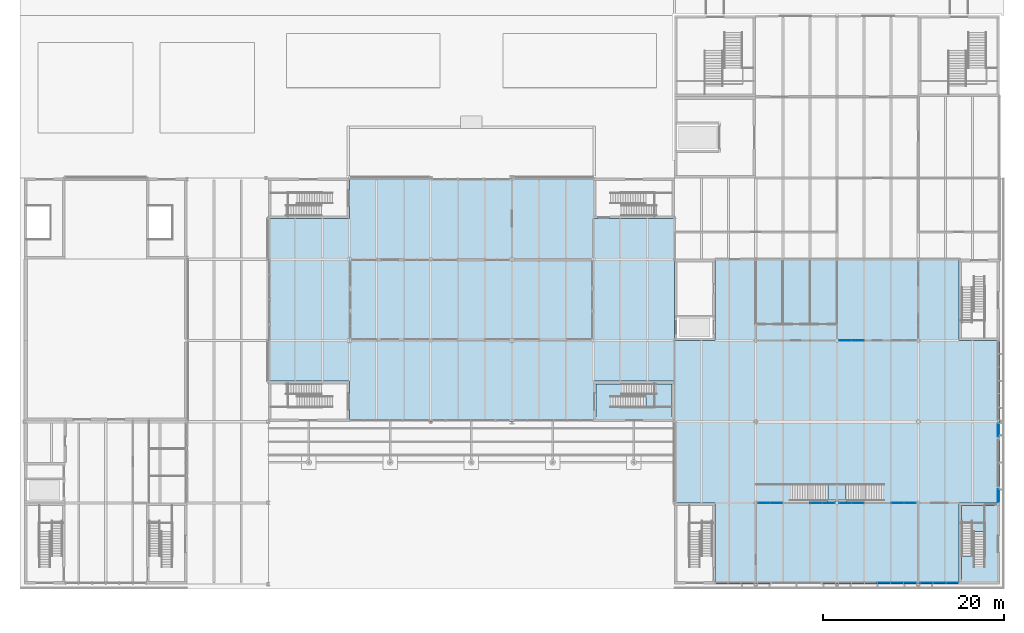
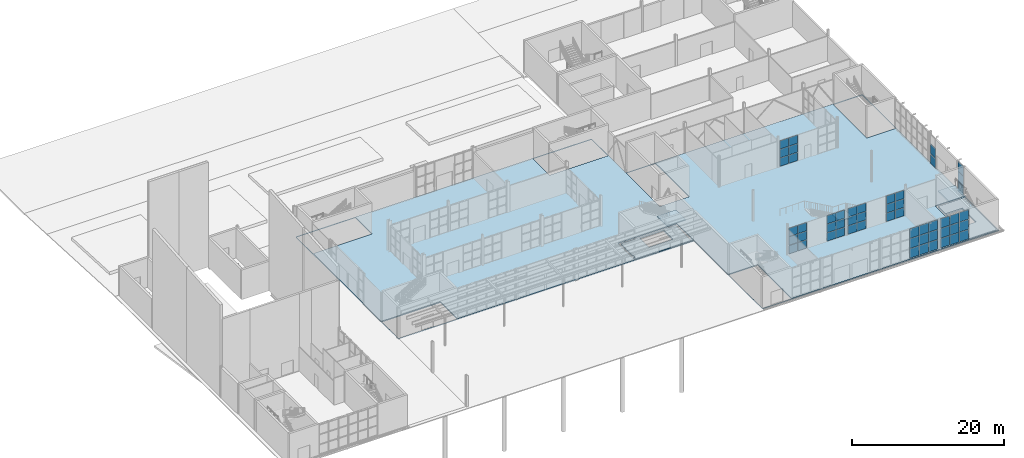
# One storey, part 33 of 63: 53 plates, 6 slabs, 12 elements without a shape of their own.
"""IFC4 building model written with IfcOpenShell, lengths in metres."""

from ifc_helpers import new_model, si_unit, direction, frame, origin, origin_2d, place, context, subcontext, project, spatial, polyline, rectangle, outline, extrude, material, layer, layer_set, type_object, element, aggregate, save


model = new_model("IFC4")

# Units and contexts
model_context = context("Model", 3, precision=1e-05, world=origin(), true_north=direction((0.0, 1.0)))
body_context = subcontext(model_context, "Body", "Model", "MODEL_VIEW")
ifc_project = project(units=[si_unit("LENGTHUNIT", "METRE"), si_unit("AREAUNIT", "SQUARE_METRE"), si_unit("VOLUMEUNIT", "CUBIC_METRE"), si_unit("PLANEANGLEUNIT", "RADIAN"), si_unit("MASSUNIT", "GRAM", prefix="KILO")], contexts=[model_context])

# Site, building, storey
site_placement = place(None, origin())
site = spatial("IfcSite", under=ifc_project, at=site_placement, CompositionType="ELEMENT")
building_placement = place(site_placement, origin())
building = spatial("IfcBuilding", under=site, at=building_placement, Name="Halyard Row Museum", CompositionType="ELEMENT")
storey_placement = place(building_placement, origin())
storey = spatial("IfcBuildingStorey", under=building, at=storey_placement, Name="L00", CompositionType="ELEMENT", Elevation=0.0)

# Slabs
ifc_material_1 = material(Name="Concrete 40 MPa", Category="concrete")
ifc_layer_1 = layer(ifc_material_1, 0.1650390625)
ifc_layer_set_1 = layer_set([ifc_layer_1], Name="Concrete 40 MPa")
slab_type_1 = type_object("IfcSlabType", Name="Composite floor slab", PredefinedType="FLOOR", material=ifc_layer_set_1)
slab_1_placement = place(storey_placement, frame((0.0, 0.0, -0.1650390625)))
element("IfcSlab", 1, at=slab_1_placement, inside=storey, type_object=slab_type_1, Name="Floor slab L00-03", PredefinedType="FLOOR", context=body_context, shape_type="SweptSolid", body=[
    extrude(outline(polyline([(72.0, 45.0), (27.0, 45.0), (27.0, 18.0), (72.0, 18.0), (72.0, 0.0), (108.0, 0.0), (108.0, 36.0), (72.0, 36.0), (72.0, 45.0)]), holes=[polyline([(27.0048828125, 18.0048828125), (27.0048828125, 22.4951171875), (35.9951171875, 22.4951171875), (35.9951171875, 18.0048828125), (27.0048828125, 18.0048828125)]), polyline([(27.0048828125, 40.5048828125), (27.0048828125, 44.9951171875), (35.9951171875, 44.9951171875), (35.9951171875, 40.5048828125), (27.0048828125, 40.5048828125)]), polyline([(63.0048828125, 40.5048828125), (63.0048828125, 44.9951171875), (71.9951171875, 44.9951171875), (71.9951171875, 40.5048828125), (63.0048828125, 40.5048828125)]), polyline([(72.0048828125, 0.0048828125), (72.0048828125, 8.9951171875), (76.4951171875, 8.9951171875), (76.4951171875, 0.0048828125), (72.0048828125, 0.0048828125)]), polyline([(103.5048828125, 0.0048828125), (103.5048828125, 8.9951171875), (107.9951171875, 8.9951171875), (107.9951171875, 0.0048828125), (103.5048828125, 0.0048828125)]), polyline([(63.0048828125, 18.0048828125), (63.0048828125, 22.4951171875), (71.9951171875, 22.4951171875), (71.9951171875, 18.0048828125), (63.0048828125, 18.0048828125)]), polyline([(72.0048828125, 27.0048828125), (72.0048828125, 35.9951171875), (76.4951171875, 35.9951171875), (76.4951171875, 27.0048828125), (72.0048828125, 27.0048828125)]), polyline([(103.5048828125, 27.0048828125), (103.5048828125, 35.9951171875), (107.9951171875, 35.9951171875), (107.9951171875, 27.0048828125), (103.5048828125, 27.0048828125)])]), origin(), (0.0, 0.0, 1.0), 0.1650390625),
])
ifc_material_2 = material(Name="Concrete 40 MPa", Category="concrete")
ifc_layer_2 = layer(ifc_material_2, 0.25)
ifc_layer_set_2 = layer_set([ifc_layer_2], Name="Concrete 40 MPa")
slab_type_2 = type_object("IfcSlabType", Name="Core floor slab 250", PredefinedType="FLOOR", material=ifc_layer_set_2)
slab_2_placement = place(storey_placement, frame((0.0, 0.0, -0.25)))
element("IfcSlab", 2, at=slab_2_placement, inside=storey, type_object=slab_type_2, Name="Core floor K1C L00", PredefinedType="FLOOR", context=body_context, shape_type="SweptSolid", body=[
    extrude(outline(polyline([(63.0048828125, 18.199951171875), (71.9951171875, 18.199951171875), (71.9951171875, 18.550048828125), (71.699951171875, 18.550048828125), (71.699951171875, 22.199951171875), (63.300048828125, 22.199951171875), (63.300048828125, 18.550048828125), (63.0048828125, 18.550048828125), (63.0048828125, 18.199951171875)]), holes=[polyline([(66.10302734375, 22.197021484375), (69.737060546875, 22.197021484375), (69.737060546875, 19.653076171875), (66.10302734375, 19.653076171875), (66.10302734375, 22.197021484375)])]), origin(), (0.0, 0.0, 1.0), 0.25),
])
slab_3_placement = place(storey_placement, frame((0.0, 0.0, -0.25)))
element("IfcSlab", 3, at=slab_3_placement, inside=storey, type_object=slab_type_2, Name="Core floor K2B L00", PredefinedType="FLOOR", context=body_context, shape_type="SweptSolid", body=[
    extrude(outline(polyline([(107.449951171875, 8.9951171875), (107.449951171875, 8.699951171875), (103.800048828125, 8.699951171875), (103.800048828125, 0.550048828125), (103.5048828125, 0.550048828125), (103.5048828125, 0.199951171875), (107.800048828125, 0.199951171875), (107.800048828125, 8.9951171875), (107.449951171875, 8.9951171875)]), holes=[polyline([(103.802978515625, 3.10302734375), (103.802978515625, 6.737060546875), (106.346923828125, 6.737060546875), (106.346923828125, 3.10302734375), (103.802978515625, 3.10302734375)])]), origin(), (0.0, 0.0, 1.0), 0.25),
])

# Curtain wall, plates
ifc_material_3 = material(Name="Double glazed unit, low-emissivity", Category="glass")
ifc_layer_3 = layer(ifc_material_3, 0.179931640625)
ifc_layer_set_3 = layer_set([ifc_layer_3], Name="Double glazed unit, low-emissivity")
curtain_wall_type_1 = type_object("IfcCurtainWallType", Name="Curtain wall stick 180 deep", PredefinedType="NOTDEFINED", material=ifc_layer_set_3)
curtain_wall_1_placement = place(storey_placement, origin())
curtain_wall_1 = element("IfcCurtainWall", 4, at=curtain_wall_1_placement, inside=storey, type_object=curtain_wall_type_1, Name="Curtain wall CW134", PredefinedType="NOTDEFINED")
ifc_material_4 = material(Name="Double glazed unit, low-emissivity", Category="glass")
ifc_layer_4 = layer(ifc_material_4, 0.028076171875)
ifc_layer_set_4 = layer_set([ifc_layer_4], Name="Double glazed unit, low-emissivity")
plate_type_1 = type_object("IfcPlateType", Name="Curtain wall glazed panel CP2 28", PredefinedType="CURTAIN_PANEL", material=ifc_layer_set_4)
plate_1_placement = place(storey_placement, frame((81.91748046875, 9.0, 0.06005859375), z_axis=(0.0, 0.0, 1.0), x_axis=(1.0, 0.0, 0.0)))
plate_1 = element("IfcPlate", 5, at=plate_1_placement, type_object=plate_type_1, Name="CW134 panel 1.1", PredefinedType="CURTAIN_PANEL", context=body_context, shape_type="SweptSolid", body=[
    extrude(rectangle(XDim=1.308349609375, YDim=0.028076171875, at=origin_2d()), origin(), (0.0, 0.0, 1.0), 1.3193359375),
])
plate_2_placement = place(storey_placement, frame((81.91748046875, 9.0, 1.439453125), z_axis=(0.0, 0.0, 1.0), x_axis=(1.0, 0.0, 0.0)))
plate_2 = element("IfcPlate", 6, at=plate_2_placement, type_object=plate_type_1, Name="CW134 panel 1.2", PredefinedType="CURTAIN_PANEL", context=body_context, shape_type="SweptSolid", body=[
    extrude(rectangle(XDim=1.308349609375, YDim=0.028076171875, at=origin_2d()), origin(), (0.0, 0.0, 1.0), 1.349365234375),
])
plate_3_placement = place(storey_placement, frame((81.91748046875, 9.0, 2.8486328125), z_axis=(0.0, 0.0, 1.0), x_axis=(1.0, 0.0, 0.0)))
plate_3 = element("IfcPlate", 7, at=plate_3_placement, type_object=plate_type_1, Name="CW134 panel 1.3", PredefinedType="CURTAIN_PANEL", context=body_context, shape_type="SweptSolid", body=[
    extrude(rectangle(XDim=1.308349609375, YDim=0.028076171875, at=origin_2d()), origin(), (0.0, 0.0, 1.0), 1.3193359375),
])
plate_4_placement = place(storey_placement, frame((83.285888671875, 9.0, 0.06005859375), z_axis=(0.0, 0.0, 1.0), x_axis=(1.0, 0.0, 0.0)))
plate_4 = element("IfcPlate", 8, at=plate_4_placement, type_object=plate_type_1, Name="CW134 panel 2.1", PredefinedType="CURTAIN_PANEL", context=body_context, shape_type="SweptSolid", body=[
    extrude(rectangle(XDim=1.308349609375, YDim=0.028076171875, at=origin_2d()), origin(), (0.0, 0.0, 1.0), 1.3193359375),
])
plate_5_placement = place(storey_placement, frame((83.285888671875, 9.0, 1.439453125), z_axis=(0.0, 0.0, 1.0), x_axis=(1.0, 0.0, 0.0)))
plate_5 = element("IfcPlate", 9, at=plate_5_placement, type_object=plate_type_1, Name="CW134 panel 2.2", PredefinedType="CURTAIN_PANEL", context=body_context, shape_type="SweptSolid", body=[
    extrude(rectangle(XDim=1.308349609375, YDim=0.028076171875, at=origin_2d()), origin(), (0.0, 0.0, 1.0), 1.349365234375),
])
plate_6_placement = place(storey_placement, frame((83.285888671875, 9.0, 2.8486328125), z_axis=(0.0, 0.0, 1.0), x_axis=(1.0, 0.0, 0.0)))
plate_6 = element("IfcPlate", 10, at=plate_6_placement, type_object=plate_type_1, Name="CW134 panel 2.3", PredefinedType="CURTAIN_PANEL", context=body_context, shape_type="SweptSolid", body=[
    extrude(rectangle(XDim=1.308349609375, YDim=0.028076171875, at=origin_2d()), origin(), (0.0, 0.0, 1.0), 1.3193359375),
])
aggregate(curtain_wall_1, [plate_1, plate_2, plate_3, plate_4, plate_5, plate_6])

curtain_wall_2_placement = place(storey_placement, origin())
curtain_wall_2 = element("IfcCurtainWall", 11, at=curtain_wall_2_placement, inside=storey, type_object=curtain_wall_type_1, Name="Curtain wall CW135", PredefinedType="NOTDEFINED")
plate_7_placement = place(storey_placement, frame((87.714111328125, 9.0, 0.06005859375), z_axis=(0.0, 0.0, 1.0), x_axis=(1.0, 0.0, 0.0)))
plate_7 = element("IfcPlate", 12, at=plate_7_placement, type_object=plate_type_1, Name="CW135 panel 1.1", PredefinedType="CURTAIN_PANEL", context=body_context, shape_type="SweptSolid", body=[
    extrude(rectangle(XDim=1.308349609375, YDim=0.028076171875, at=origin_2d()), origin(), (0.0, 0.0, 1.0), 1.3193359375),
])
plate_8_placement = place(storey_placement, frame((87.714111328125, 9.0, 1.439453125), z_axis=(0.0, 0.0, 1.0), x_axis=(1.0, 0.0, 0.0)))
plate_8 = element("IfcPlate", 13, at=plate_8_placement, type_object=plate_type_1, Name="CW135 panel 1.2", PredefinedType="CURTAIN_PANEL", context=body_context, shape_type="SweptSolid", body=[
    extrude(rectangle(XDim=1.308349609375, YDim=0.028076171875, at=origin_2d()), origin(), (0.0, 0.0, 1.0), 1.349365234375),
])
plate_9_placement = place(storey_placement, frame((87.714111328125, 9.0, 2.8486328125), z_axis=(0.0, 0.0, 1.0), x_axis=(1.0, 0.0, 0.0)))
plate_9 = element("IfcPlate", 14, at=plate_9_placement, type_object=plate_type_1, Name="CW135 panel 1.3", PredefinedType="CURTAIN_PANEL", context=body_context, shape_type="SweptSolid", body=[
    extrude(rectangle(XDim=1.308349609375, YDim=0.028076171875, at=origin_2d()), origin(), (0.0, 0.0, 1.0), 1.3193359375),
])
plate_10_placement = place(storey_placement, frame((89.08251953125, 9.0, 0.06005859375), z_axis=(0.0, 0.0, 1.0), x_axis=(1.0, 0.0, 0.0)))
plate_10 = element("IfcPlate", 15, at=plate_10_placement, type_object=plate_type_1, Name="CW135 panel 2.1", PredefinedType="CURTAIN_PANEL", context=body_context, shape_type="SweptSolid", body=[
    extrude(rectangle(XDim=1.308349609375, YDim=0.028076171875, at=origin_2d()), origin(), (0.0, 0.0, 1.0), 1.3193359375),
])
plate_11_placement = place(storey_placement, frame((89.08251953125, 9.0, 1.439453125), z_axis=(0.0, 0.0, 1.0), x_axis=(1.0, 0.0, 0.0)))
plate_11 = element("IfcPlate", 16, at=plate_11_placement, type_object=plate_type_1, Name="CW135 panel 2.2", PredefinedType="CURTAIN_PANEL", context=body_context, shape_type="SweptSolid", body=[
    extrude(rectangle(XDim=1.308349609375, YDim=0.028076171875, at=origin_2d()), origin(), (0.0, 0.0, 1.0), 1.349365234375),
])
plate_12_placement = place(storey_placement, frame((89.08251953125, 9.0, 2.8486328125), z_axis=(0.0, 0.0, 1.0), x_axis=(1.0, 0.0, 0.0)))
plate_12 = element("IfcPlate", 17, at=plate_12_placement, type_object=plate_type_1, Name="CW135 panel 2.3", PredefinedType="CURTAIN_PANEL", context=body_context, shape_type="SweptSolid", body=[
    extrude(rectangle(XDim=1.308349609375, YDim=0.028076171875, at=origin_2d()), origin(), (0.0, 0.0, 1.0), 1.3193359375),
])
aggregate(curtain_wall_2, [plate_7, plate_8, plate_9, plate_10, plate_11, plate_12])

curtain_wall_3_placement = place(storey_placement, origin())
curtain_wall_3 = element("IfcCurtainWall", 18, at=curtain_wall_3_placement, inside=storey, type_object=curtain_wall_type_1, Name="Curtain wall CW136", PredefinedType="NOTDEFINED")
plate_13_placement = place(storey_placement, frame((90.91748046875, 9.0, 0.06005859375), z_axis=(0.0, 0.0, 1.0), x_axis=(1.0, 0.0, 0.0)))
plate_13 = element("IfcPlate", 19, at=plate_13_placement, type_object=plate_type_1, Name="CW136 panel 1.1", PredefinedType="CURTAIN_PANEL", context=body_context, shape_type="SweptSolid", body=[
    extrude(rectangle(XDim=1.308349609375, YDim=0.028076171875, at=origin_2d()), origin(), (0.0, 0.0, 1.0), 1.3193359375),
])
plate_14_placement = place(storey_placement, frame((90.91748046875, 9.0, 1.439453125), z_axis=(0.0, 0.0, 1.0), x_axis=(1.0, 0.0, 0.0)))
plate_14 = element("IfcPlate", 20, at=plate_14_placement, type_object=plate_type_1, Name="CW136 panel 1.2", PredefinedType="CURTAIN_PANEL", context=body_context, shape_type="SweptSolid", body=[
    extrude(rectangle(XDim=1.308349609375, YDim=0.028076171875, at=origin_2d()), origin(), (0.0, 0.0, 1.0), 1.349365234375),
])
plate_15_placement = place(storey_placement, frame((90.91748046875, 9.0, 2.8486328125), z_axis=(0.0, 0.0, 1.0), x_axis=(1.0, 0.0, 0.0)))
plate_15 = element("IfcPlate", 21, at=plate_15_placement, type_object=plate_type_1, Name="CW136 panel 1.3", PredefinedType="CURTAIN_PANEL", context=body_context, shape_type="SweptSolid", body=[
    extrude(rectangle(XDim=1.308349609375, YDim=0.028076171875, at=origin_2d()), origin(), (0.0, 0.0, 1.0), 1.3193359375),
])
plate_16_placement = place(storey_placement, frame((92.285888671875, 9.0, 0.06005859375), z_axis=(0.0, 0.0, 1.0), x_axis=(1.0, 0.0, 0.0)))
plate_16 = element("IfcPlate", 22, at=plate_16_placement, type_object=plate_type_1, Name="CW136 panel 2.1", PredefinedType="CURTAIN_PANEL", context=body_context, shape_type="SweptSolid", body=[
    extrude(rectangle(XDim=1.308349609375, YDim=0.028076171875, at=origin_2d()), origin(), (0.0, 0.0, 1.0), 1.3193359375),
])
plate_17_placement = place(storey_placement, frame((92.285888671875, 9.0, 1.439453125), z_axis=(0.0, 0.0, 1.0), x_axis=(1.0, 0.0, 0.0)))
plate_17 = element("IfcPlate", 23, at=plate_17_placement, type_object=plate_type_1, Name="CW136 panel 2.2", PredefinedType="CURTAIN_PANEL", context=body_context, shape_type="SweptSolid", body=[
    extrude(rectangle(XDim=1.308349609375, YDim=0.028076171875, at=origin_2d()), origin(), (0.0, 0.0, 1.0), 1.349365234375),
])
plate_18_placement = place(storey_placement, frame((92.285888671875, 9.0, 2.8486328125), z_axis=(0.0, 0.0, 1.0), x_axis=(1.0, 0.0, 0.0)))
plate_18 = element("IfcPlate", 24, at=plate_18_placement, type_object=plate_type_1, Name="CW136 panel 2.3", PredefinedType="CURTAIN_PANEL", context=body_context, shape_type="SweptSolid", body=[
    extrude(rectangle(XDim=1.308349609375, YDim=0.028076171875, at=origin_2d()), origin(), (0.0, 0.0, 1.0), 1.3193359375),
])
aggregate(curtain_wall_3, [plate_13, plate_14, plate_15, plate_16, plate_17, plate_18])

curtain_wall_4_placement = place(storey_placement, origin())
curtain_wall_4 = element("IfcCurtainWall", 25, at=curtain_wall_4_placement, inside=storey, type_object=curtain_wall_type_1, Name="Curtain wall CW137", PredefinedType="NOTDEFINED")
plate_19_placement = place(storey_placement, frame((96.714111328125, 9.0, 0.06005859375), z_axis=(0.0, 0.0, 1.0), x_axis=(1.0, 0.0, 0.0)))
plate_19 = element("IfcPlate", 26, at=plate_19_placement, type_object=plate_type_1, Name="CW137 panel 1.1", PredefinedType="CURTAIN_PANEL", context=body_context, shape_type="SweptSolid", body=[
    extrude(rectangle(XDim=1.308349609375, YDim=0.028076171875, at=origin_2d()), origin(), (0.0, 0.0, 1.0), 1.3193359375),
])
plate_20_placement = place(storey_placement, frame((96.714111328125, 9.0, 1.439453125), z_axis=(0.0, 0.0, 1.0), x_axis=(1.0, 0.0, 0.0)))
plate_20 = element("IfcPlate", 27, at=plate_20_placement, type_object=plate_type_1, Name="CW137 panel 1.2", PredefinedType="CURTAIN_PANEL", context=body_context, shape_type="SweptSolid", body=[
    extrude(rectangle(XDim=1.308349609375, YDim=0.028076171875, at=origin_2d()), origin(), (0.0, 0.0, 1.0), 1.349365234375),
])
plate_21_placement = place(storey_placement, frame((96.714111328125, 9.0, 2.8486328125), z_axis=(0.0, 0.0, 1.0), x_axis=(1.0, 0.0, 0.0)))
plate_21 = element("IfcPlate", 28, at=plate_21_placement, type_object=plate_type_1, Name="CW137 panel 1.3", PredefinedType="CURTAIN_PANEL", context=body_context, shape_type="SweptSolid", body=[
    extrude(rectangle(XDim=1.308349609375, YDim=0.028076171875, at=origin_2d()), origin(), (0.0, 0.0, 1.0), 1.3193359375),
])
plate_22_placement = place(storey_placement, frame((98.08251953125, 9.0, 0.06005859375), z_axis=(0.0, 0.0, 1.0), x_axis=(1.0, 0.0, 0.0)))
plate_22 = element("IfcPlate", 29, at=plate_22_placement, type_object=plate_type_1, Name="CW137 panel 2.1", PredefinedType="CURTAIN_PANEL", context=body_context, shape_type="SweptSolid", body=[
    extrude(rectangle(XDim=1.308349609375, YDim=0.028076171875, at=origin_2d()), origin(), (0.0, 0.0, 1.0), 1.3193359375),
])
plate_23_placement = place(storey_placement, frame((98.08251953125, 9.0, 1.439453125), z_axis=(0.0, 0.0, 1.0), x_axis=(1.0, 0.0, 0.0)))
plate_23 = element("IfcPlate", 30, at=plate_23_placement, type_object=plate_type_1, Name="CW137 panel 2.2", PredefinedType="CURTAIN_PANEL", context=body_context, shape_type="SweptSolid", body=[
    extrude(rectangle(XDim=1.308349609375, YDim=0.028076171875, at=origin_2d()), origin(), (0.0, 0.0, 1.0), 1.349365234375),
])
plate_24_placement = place(storey_placement, frame((98.08251953125, 9.0, 2.8486328125), z_axis=(0.0, 0.0, 1.0), x_axis=(1.0, 0.0, 0.0)))
plate_24 = element("IfcPlate", 31, at=plate_24_placement, type_object=plate_type_1, Name="CW137 panel 2.3", PredefinedType="CURTAIN_PANEL", context=body_context, shape_type="SweptSolid", body=[
    extrude(rectangle(XDim=1.308349609375, YDim=0.028076171875, at=origin_2d()), origin(), (0.0, 0.0, 1.0), 1.3193359375),
])
aggregate(curtain_wall_4, [plate_19, plate_20, plate_21, plate_22, plate_23, plate_24])

curtain_wall_5_placement = place(storey_placement, origin())
curtain_wall_5 = element("IfcCurtainWall", 32, at=curtain_wall_5_placement, inside=storey, type_object=curtain_wall_type_1, Name="Curtain wall CW138", PredefinedType="NOTDEFINED")
plate_25_placement = place(storey_placement, frame((90.91748046875, 27.0, 0.06005859375), z_axis=(0.0, 0.0, 1.0), x_axis=(1.0, 0.0, 0.0)))
plate_25 = element("IfcPlate", 33, at=plate_25_placement, type_object=plate_type_1, Name="CW138 panel 1.1", PredefinedType="CURTAIN_PANEL", context=body_context, shape_type="SweptSolid", body=[
    extrude(rectangle(XDim=1.308349609375, YDim=0.028076171875, at=origin_2d()), origin(), (0.0, 0.0, 1.0), 1.3193359375),
])
plate_26_placement = place(storey_placement, frame((90.91748046875, 27.0, 1.439453125), z_axis=(0.0, 0.0, 1.0), x_axis=(1.0, 0.0, 0.0)))
plate_26 = element("IfcPlate", 34, at=plate_26_placement, type_object=plate_type_1, Name="CW138 panel 1.2", PredefinedType="CURTAIN_PANEL", context=body_context, shape_type="SweptSolid", body=[
    extrude(rectangle(XDim=1.308349609375, YDim=0.028076171875, at=origin_2d()), origin(), (0.0, 0.0, 1.0), 1.349365234375),
])
plate_27_placement = place(storey_placement, frame((90.91748046875, 27.0, 2.8486328125), z_axis=(0.0, 0.0, 1.0), x_axis=(1.0, 0.0, 0.0)))
plate_27 = element("IfcPlate", 35, at=plate_27_placement, type_object=plate_type_1, Name="CW138 panel 1.3", PredefinedType="CURTAIN_PANEL", context=body_context, shape_type="SweptSolid", body=[
    extrude(rectangle(XDim=1.308349609375, YDim=0.028076171875, at=origin_2d()), origin(), (0.0, 0.0, 1.0), 1.3193359375),
])
plate_28_placement = place(storey_placement, frame((92.285888671875, 27.0, 0.06005859375), z_axis=(0.0, 0.0, 1.0), x_axis=(1.0, 0.0, 0.0)))
plate_28 = element("IfcPlate", 36, at=plate_28_placement, type_object=plate_type_1, Name="CW138 panel 2.1", PredefinedType="CURTAIN_PANEL", context=body_context, shape_type="SweptSolid", body=[
    extrude(rectangle(XDim=1.308349609375, YDim=0.028076171875, at=origin_2d()), origin(), (0.0, 0.0, 1.0), 1.3193359375),
])
plate_29_placement = place(storey_placement, frame((92.285888671875, 27.0, 1.439453125), z_axis=(0.0, 0.0, 1.0), x_axis=(1.0, 0.0, 0.0)))
plate_29 = element("IfcPlate", 37, at=plate_29_placement, type_object=plate_type_1, Name="CW138 panel 2.2", PredefinedType="CURTAIN_PANEL", context=body_context, shape_type="SweptSolid", body=[
    extrude(rectangle(XDim=1.308349609375, YDim=0.028076171875, at=origin_2d()), origin(), (0.0, 0.0, 1.0), 1.349365234375),
])
plate_30_placement = place(storey_placement, frame((92.285888671875, 27.0, 2.8486328125), z_axis=(0.0, 0.0, 1.0), x_axis=(1.0, 0.0, 0.0)))
plate_30 = element("IfcPlate", 38, at=plate_30_placement, type_object=plate_type_1, Name="CW138 panel 2.3", PredefinedType="CURTAIN_PANEL", context=body_context, shape_type="SweptSolid", body=[
    extrude(rectangle(XDim=1.308349609375, YDim=0.028076171875, at=origin_2d()), origin(), (0.0, 0.0, 1.0), 1.3193359375),
])
aggregate(curtain_wall_5, [plate_25, plate_26, plate_27, plate_28, plate_29, plate_30])

ifc_material_5 = material(Name="Double glazed unit, low-emissivity", Category="glass")
ifc_layer_5 = layer(ifc_material_5, 0.219970703125)
ifc_layer_set_5 = layer_set([ifc_layer_5], Name="Double glazed unit, low-emissivity")
curtain_wall_type_2 = type_object("IfcCurtainWallType", Name="Curtain wall unitised 220 deep", PredefinedType="NOTDEFINED", material=ifc_layer_set_5)
curtain_wall_6_placement = place(storey_placement, origin())
curtain_wall_6 = element("IfcCurtainWall", 39, at=curtain_wall_6_placement, inside=storey, type_object=curtain_wall_type_2, Name="Curtain wall CW004", PredefinedType="NOTDEFINED")
ifc_material_6 = material(Name="Double glazed unit, low-emissivity", Category="glass")
ifc_layer_6 = layer(ifc_material_6, 0.035888671875)
ifc_layer_set_6 = layer_set([ifc_layer_6], Name="Double glazed unit, low-emissivity")
plate_type_2 = type_object("IfcPlateType", Name="Curtain wall glazed panel CP3 36", PredefinedType="CURTAIN_PANEL", material=ifc_layer_set_6)
plate_31_placement = place(storey_placement, frame((95.21044921875, 0.159912109375, 0.06005859375), z_axis=(0.0, 0.0, 1.0), x_axis=(1.0, 0.0, 0.0)))
plate_31 = element("IfcPlate", 40, at=plate_31_placement, type_object=plate_type_2, Name="CW004 panel 4.1", PredefinedType="CURTAIN_PANEL", context=body_context, shape_type="SweptSolid", body=[
    extrude(rectangle(XDim=1.3857421875, YDim=0.035888671875, at=origin_2d()), origin(), (0.0, 0.0, 1.0), 1.521728515625),
])
plate_32_placement = place(storey_placement, frame((95.21044921875, 0.159912109375, 1.6416015625), z_axis=(0.0, 0.0, 1.0), x_axis=(1.0, 0.0, 0.0)))
plate_32 = element("IfcPlate", 41, at=plate_32_placement, type_object=plate_type_2, Name="CW004 panel 4.2", PredefinedType="CURTAIN_PANEL", context=body_context, shape_type="SweptSolid", body=[
    extrude(rectangle(XDim=1.3857421875, YDim=0.035888671875, at=origin_2d()), origin(), (0.0, 0.0, 1.0), 1.5517578125),
])
plate_33_placement = place(storey_placement, frame((95.21044921875, 0.159912109375, 3.25341796875), z_axis=(0.0, 0.0, 1.0), x_axis=(1.0, 0.0, 0.0)))
plate_33 = element("IfcPlate", 42, at=plate_33_placement, type_object=plate_type_2, Name="CW004 panel 4.3", PredefinedType="CURTAIN_PANEL", context=body_context, shape_type="SweptSolid", body=[
    extrude(rectangle(XDim=1.3857421875, YDim=0.035888671875, at=origin_2d()), origin(), (0.0, 0.0, 1.0), 1.521728515625),
])
plate_34_placement = place(storey_placement, frame((96.65625, 0.159912109375, 0.06005859375), z_axis=(0.0, 0.0, 1.0), x_axis=(1.0, 0.0, 0.0)))
plate_34 = element("IfcPlate", 43, at=plate_34_placement, type_object=plate_type_2, Name="CW004 panel 5.1", PredefinedType="CURTAIN_PANEL", context=body_context, shape_type="SweptSolid", body=[
    extrude(rectangle(XDim=1.3857421875, YDim=0.035888671875, at=origin_2d()), origin(), (0.0, 0.0, 1.0), 1.521728515625),
])
plate_35_placement = place(storey_placement, frame((96.65625, 0.159912109375, 1.6416015625), z_axis=(0.0, 0.0, 1.0), x_axis=(1.0, 0.0, 0.0)))
plate_35 = element("IfcPlate", 44, at=plate_35_placement, type_object=plate_type_2, Name="CW004 panel 5.2", PredefinedType="CURTAIN_PANEL", context=body_context, shape_type="SweptSolid", body=[
    extrude(rectangle(XDim=1.3857421875, YDim=0.035888671875, at=origin_2d()), origin(), (0.0, 0.0, 1.0), 1.5517578125),
])
plate_36_placement = place(storey_placement, frame((96.65625, 0.159912109375, 3.25341796875), z_axis=(0.0, 0.0, 1.0), x_axis=(1.0, 0.0, 0.0)))
plate_36 = element("IfcPlate", 45, at=plate_36_placement, type_object=plate_type_2, Name="CW004 panel 5.3", PredefinedType="CURTAIN_PANEL", context=body_context, shape_type="SweptSolid", body=[
    extrude(rectangle(XDim=1.3857421875, YDim=0.035888671875, at=origin_2d()), origin(), (0.0, 0.0, 1.0), 1.521728515625),
])
plate_37_placement = place(storey_placement, frame((98.087158203125, 0.159912109375, 0.06005859375), z_axis=(0.0, 0.0, 1.0), x_axis=(1.0, 0.0, 0.0)))
plate_37 = element("IfcPlate", 46, at=plate_37_placement, type_object=plate_type_2, Name="CW004 panel 6.1", PredefinedType="CURTAIN_PANEL", context=body_context, shape_type="SweptSolid", body=[
    extrude(rectangle(XDim=1.355712890625, YDim=0.035888671875, at=origin_2d()), origin(), (0.0, 0.0, 1.0), 1.521728515625),
])
plate_38_placement = place(storey_placement, frame((98.087158203125, 0.159912109375, 1.6416015625), z_axis=(0.0, 0.0, 1.0), x_axis=(1.0, 0.0, 0.0)))
plate_38 = element("IfcPlate", 47, at=plate_38_placement, type_object=plate_type_2, Name="CW004 panel 6.2", PredefinedType="CURTAIN_PANEL", context=body_context, shape_type="SweptSolid", body=[
    extrude(rectangle(XDim=1.355712890625, YDim=0.035888671875, at=origin_2d()), origin(), (0.0, 0.0, 1.0), 1.5517578125),
])
plate_39_placement = place(storey_placement, frame((98.087158203125, 0.159912109375, 3.25341796875), z_axis=(0.0, 0.0, 1.0), x_axis=(1.0, 0.0, 0.0)))
plate_39 = element("IfcPlate", 48, at=plate_39_placement, type_object=plate_type_2, Name="CW004 panel 6.3", PredefinedType="CURTAIN_PANEL", context=body_context, shape_type="SweptSolid", body=[
    extrude(rectangle(XDim=1.355712890625, YDim=0.035888671875, at=origin_2d()), origin(), (0.0, 0.0, 1.0), 1.521728515625),
])
aggregate(curtain_wall_6, [plate_31, plate_32, plate_33, plate_34, plate_35, plate_36, plate_37, plate_38, plate_39])

curtain_wall_7_placement = place(storey_placement, origin())
curtain_wall_7 = element("IfcCurtainWall", 49, at=curtain_wall_7_placement, inside=storey, type_object=curtain_wall_type_2, Name="Curtain wall CW005", PredefinedType="NOTDEFINED")
plate_40_placement = place(storey_placement, frame((99.910888671875, 0.159912109375, 0.06005859375), z_axis=(0.0, 0.0, 1.0), x_axis=(1.0, 0.0, 0.0)))
plate_40 = element("IfcPlate", 50, at=plate_40_placement, type_object=plate_type_2, Name="CW005 panel 1.1", PredefinedType="CURTAIN_PANEL", context=body_context, shape_type="SweptSolid", body=[
    extrude(rectangle(XDim=1.3515625, YDim=0.035888671875, at=origin_2d()), origin(), (0.0, 0.0, 1.0), 1.521728515625),
])
plate_41_placement = place(storey_placement, frame((99.910888671875, 0.159912109375, 1.6416015625), z_axis=(0.0, 0.0, 1.0), x_axis=(1.0, 0.0, 0.0)))
plate_41 = element("IfcPlate", 51, at=plate_41_placement, type_object=plate_type_2, Name="CW005 panel 1.2", PredefinedType="CURTAIN_PANEL", context=body_context, shape_type="SweptSolid", body=[
    extrude(rectangle(XDim=1.3515625, YDim=0.035888671875, at=origin_2d()), origin(), (0.0, 0.0, 1.0), 1.5517578125),
])
plate_42_placement = place(storey_placement, frame((99.910888671875, 0.159912109375, 3.25341796875), z_axis=(0.0, 0.0, 1.0), x_axis=(1.0, 0.0, 0.0)))
plate_42 = element("IfcPlate", 52, at=plate_42_placement, type_object=plate_type_2, Name="CW005 panel 1.3", PredefinedType="CURTAIN_PANEL", context=body_context, shape_type="SweptSolid", body=[
    extrude(rectangle(XDim=1.3515625, YDim=0.035888671875, at=origin_2d()), origin(), (0.0, 0.0, 1.0), 1.521728515625),
])
plate_43_placement = place(storey_placement, frame((101.33740234375, 0.159912109375, 0.06005859375), z_axis=(0.0, 0.0, 1.0), x_axis=(1.0, 0.0, 0.0)))
plate_43 = element("IfcPlate", 53, at=plate_43_placement, type_object=plate_type_2, Name="CW005 panel 2.1", PredefinedType="CURTAIN_PANEL", context=body_context, shape_type="SweptSolid", body=[
    extrude(rectangle(XDim=1.381591796875, YDim=0.035888671875, at=origin_2d()), origin(), (0.0, 0.0, 1.0), 1.521728515625),
])
plate_44_placement = place(storey_placement, frame((101.33740234375, 0.159912109375, 1.6416015625), z_axis=(0.0, 0.0, 1.0), x_axis=(1.0, 0.0, 0.0)))
plate_44 = element("IfcPlate", 54, at=plate_44_placement, type_object=plate_type_2, Name="CW005 panel 2.2", PredefinedType="CURTAIN_PANEL", context=body_context, shape_type="SweptSolid", body=[
    extrude(rectangle(XDim=1.381591796875, YDim=0.035888671875, at=origin_2d()), origin(), (0.0, 0.0, 1.0), 1.5517578125),
])
plate_45_placement = place(storey_placement, frame((101.33740234375, 0.159912109375, 3.25341796875), z_axis=(0.0, 0.0, 1.0), x_axis=(1.0, 0.0, 0.0)))
plate_45 = element("IfcPlate", 55, at=plate_45_placement, type_object=plate_type_2, Name="CW005 panel 2.3", PredefinedType="CURTAIN_PANEL", context=body_context, shape_type="SweptSolid", body=[
    extrude(rectangle(XDim=1.381591796875, YDim=0.035888671875, at=origin_2d()), origin(), (0.0, 0.0, 1.0), 1.521728515625),
])
plate_46_placement = place(storey_placement, frame((102.76416015625, 0.159912109375, 0.06005859375), z_axis=(0.0, 0.0, 1.0), x_axis=(1.0, 0.0, 0.0)))
plate_46 = element("IfcPlate", 56, at=plate_46_placement, type_object=plate_type_2, Name="CW005 panel 3.1", PredefinedType="CURTAIN_PANEL", context=body_context, shape_type="SweptSolid", body=[
    extrude(rectangle(XDim=1.3515625, YDim=0.035888671875, at=origin_2d()), origin(), (0.0, 0.0, 1.0), 1.521728515625),
])
plate_47_placement = place(storey_placement, frame((102.76416015625, 0.159912109375, 1.6416015625), z_axis=(0.0, 0.0, 1.0), x_axis=(1.0, 0.0, 0.0)))
plate_47 = element("IfcPlate", 57, at=plate_47_placement, type_object=plate_type_2, Name="CW005 panel 3.2", PredefinedType="CURTAIN_PANEL", context=body_context, shape_type="SweptSolid", body=[
    extrude(rectangle(XDim=1.3515625, YDim=0.035888671875, at=origin_2d()), origin(), (0.0, 0.0, 1.0), 1.5517578125),
])
plate_48_placement = place(storey_placement, frame((102.76416015625, 0.159912109375, 3.25341796875), z_axis=(0.0, 0.0, 1.0), x_axis=(1.0, 0.0, 0.0)))
plate_48 = element("IfcPlate", 58, at=plate_48_placement, type_object=plate_type_2, Name="CW005 panel 3.3", PredefinedType="CURTAIN_PANEL", context=body_context, shape_type="SweptSolid", body=[
    extrude(rectangle(XDim=1.3515625, YDim=0.035888671875, at=origin_2d()), origin(), (0.0, 0.0, 1.0), 1.521728515625),
])
aggregate(curtain_wall_7, [plate_40, plate_41, plate_42, plate_43, plate_44, plate_45, plate_46, plate_47, plate_48])

curtain_wall_8_placement = place(storey_placement, origin())
curtain_wall_8 = element("IfcCurtainWall", 59, at=curtain_wall_8_placement, inside=storey, type_object=curtain_wall_type_2, Name="Curtain wall CW006", PredefinedType="NOTDEFINED")
plate_49_placement = place(storey_placement, frame((107.840087890625, 9.78125, 0.06005859375), z_axis=(0.0, 0.0, 1.0), x_axis=(0.0, 1.0, 0.0)))
plate_49 = element("IfcPlate", 60, at=plate_49_placement, type_object=plate_type_2, Name="CW006 panel 1.1", PredefinedType="CURTAIN_PANEL", context=body_context, shape_type="SweptSolid", body=[
    extrude(rectangle(XDim=1.4423828125, YDim=0.035888671875, at=origin_2d()), origin(), (0.0, 0.0, 1.0), 1.521728515625),
])
plate_50_placement = place(storey_placement, frame((107.840087890625, 9.78125, 1.6416015625), z_axis=(0.0, 0.0, 1.0), x_axis=(0.0, 1.0, 0.0)))
plate_50 = element("IfcPlate", 61, at=plate_50_placement, type_object=plate_type_2, Name="CW006 panel 1.2", PredefinedType="CURTAIN_PANEL", context=body_context, shape_type="SweptSolid", body=[
    extrude(rectangle(XDim=1.4423828125, YDim=0.035888671875, at=origin_2d()), origin(), (0.0, 0.0, 1.0), 1.5517578125),
])
plate_51_placement = place(storey_placement, frame((107.840087890625, 9.78125, 3.25341796875), z_axis=(0.0, 0.0, 1.0), x_axis=(0.0, 1.0, 0.0)))
plate_51 = element("IfcPlate", 62, at=plate_51_placement, type_object=plate_type_2, Name="CW006 panel 1.3", PredefinedType="CURTAIN_PANEL", context=body_context, shape_type="SweptSolid", body=[
    extrude(rectangle(XDim=1.4423828125, YDim=0.035888671875, at=origin_2d()), origin(), (0.0, 0.0, 1.0), 1.521728515625),
])
aggregate(curtain_wall_8, [plate_49, plate_50, plate_51])

curtain_wall_9_placement = place(storey_placement, origin())
curtain_wall_9 = element("IfcCurtainWall", 63, at=curtain_wall_9_placement, inside=storey, type_object=curtain_wall_type_2, Name="Curtain wall CW007", PredefinedType="NOTDEFINED")
plate_52_placement = place(storey_placement, frame((107.840087890625, 17.043701171875, 0.06005859375), z_axis=(0.0, 0.0, 1.0), x_axis=(0.0, 1.0, 0.0)))
plate_52 = element("IfcPlate", 64, at=plate_52_placement, type_object=plate_type_2, Name="CW007 panel 1.1", PredefinedType="CURTAIN_PANEL", context=body_context, shape_type="SweptSolid", body=[
    extrude(rectangle(XDim=1.4423828125, YDim=0.035888671875, at=origin_2d()), origin(), (0.0, 0.0, 1.0), 1.521728515625),
])
plate_53_placement = place(storey_placement, frame((107.840087890625, 17.043701171875, 1.6416015625), z_axis=(0.0, 0.0, 1.0), x_axis=(0.0, 1.0, 0.0)))
plate_53 = element("IfcPlate", 65, at=plate_53_placement, type_object=plate_type_2, Name="CW007 panel 1.2", PredefinedType="CURTAIN_PANEL", context=body_context, shape_type="SweptSolid", body=[
    extrude(rectangle(XDim=1.4423828125, YDim=0.035888671875, at=origin_2d()), origin(), (0.0, 0.0, 1.0), 1.5517578125),
])
aggregate(curtain_wall_9, [plate_52, plate_53])

# Stair, slab
ifc_material_7 = material(Name="Concrete 40 MPa", Category="concrete")
stair_type_1 = type_object("IfcStairType", Name="Exit stair two flights 1200", PredefinedType="HALF_TURN_STAIR", material=ifc_material_7)
stair_1_placement = place(storey_placement, origin())
stair_1 = element("IfcStair", 66, at=stair_1_placement, inside=storey, type_object=stair_type_1, Name="Exit stair K1C L00", PredefinedType="HALF_TURN_STAIR")
ifc_material_8 = material(Name="Concrete 40 MPa", Category="concrete")
ifc_layer_7 = layer(ifc_material_8, 0.199951171875)
ifc_layer_set_7 = layer_set([ifc_layer_7], Name="Concrete 40 MPa")
slab_type_3 = type_object("IfcSlabType", Name="Exit stair landing 200", PredefinedType="LANDING", material=ifc_layer_set_7)
slab_4_placement = place(storey_placement, frame((0.0, 0.0, 2.300048828125)))
slab_4 = element("IfcSlab", 67, at=slab_4_placement, type_object=slab_type_3, Name="STK1C-L00 landing 1", PredefinedType="LANDING", context=body_context, shape_type="SweptSolid", body=[
    extrude(outline(polyline([(68.820068359375, 19.64990234375), (68.820068359375, 22.199951171875), (71.699951171875, 22.199951171875), (71.699951171875, 19.64990234375), (68.820068359375, 19.64990234375)])), origin(), (0.0, 0.0, 1.0), 0.199951171875),
])
aggregate(stair_1, [slab_4])

stair_2_placement = place(storey_placement, origin())
stair_2 = element("IfcStair", 68, at=stair_2_placement, inside=storey, type_object=stair_type_1, Name="Exit stair K2B L00", PredefinedType="HALF_TURN_STAIR")
slab_5_placement = place(storey_placement, frame((0.0, 0.0, 2.300048828125)))
slab_5 = element("IfcSlab", 69, at=slab_5_placement, type_object=slab_type_3, Name="STK2B-L00 landing 1", PredefinedType="LANDING", context=body_context, shape_type="SweptSolid", body=[
    extrude(outline(polyline([(106.35009765625, 5.820068359375), (103.800048828125, 5.820068359375), (103.800048828125, 8.699951171875), (106.35009765625, 8.699951171875), (106.35009765625, 5.820068359375)])), origin(), (0.0, 0.0, 1.0), 0.199951171875),
])
aggregate(stair_2, [slab_5])

ifc_material_9 = material(Name="Steel Grade 350", Category="steel")
stair_type_2 = type_object("IfcStairType", Name="Feature stair two flights 1800", PredefinedType="HALF_TURN_STAIR", material=ifc_material_9)
stair_3_placement = place(storey_placement, origin())
stair_3 = element("IfcStair", 70, at=stair_3_placement, inside=storey, type_object=stair_type_2, Name="Feature stair L00", PredefinedType="HALF_TURN_STAIR")
slab_6_placement = place(storey_placement, frame((0.0, 0.0, 2.300048828125)))
slab_6 = element("IfcSlab", 71, at=slab_6_placement, type_object=slab_type_3, Name="STF-L00 landing 1", PredefinedType="LANDING", context=body_context, shape_type="SweptSolid", body=[
    extrude(outline(polyline([(89.0, 9.1201171875), (89.796875, 9.1201171875), (89.796875, 9.203125), (90.203125, 9.203125), (90.203125, 9.1201171875), (91.0, 9.1201171875), (91.0, 11.050048828125), (89.0, 11.050048828125), (89.0, 9.1201171875)])), origin(), (0.0, 0.0, 1.0), 0.199951171875),
])
aggregate(stair_3, [slab_6])

save(model, "model.ifc")
